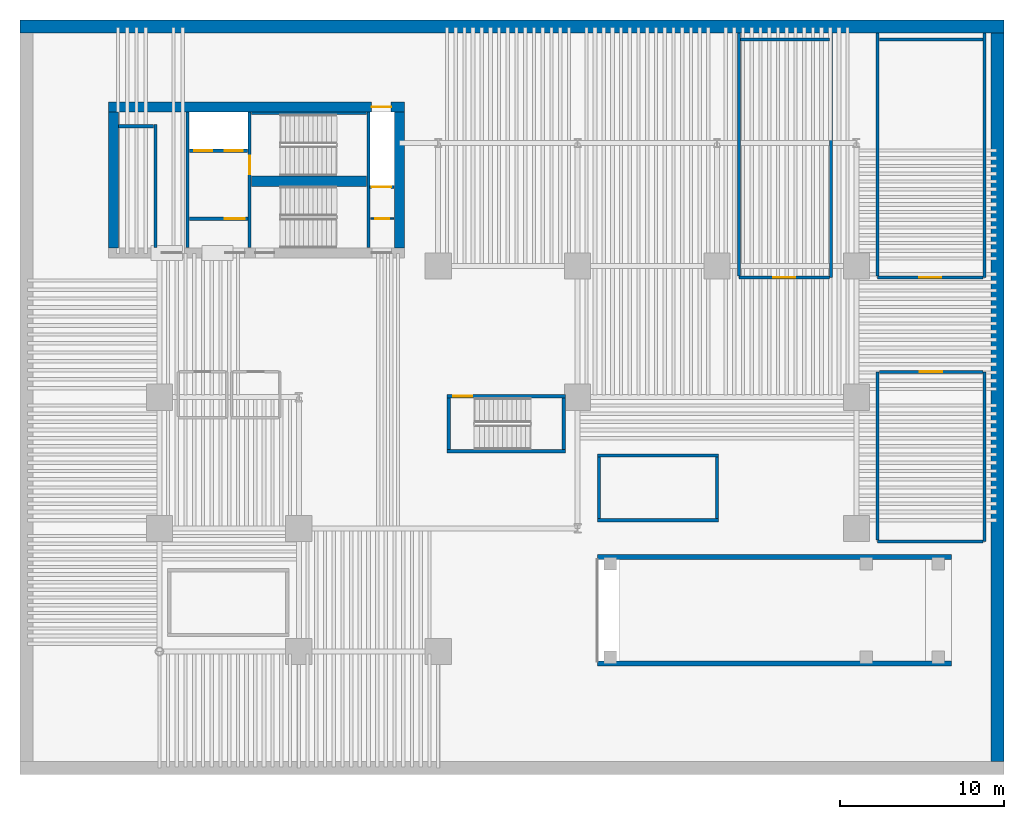
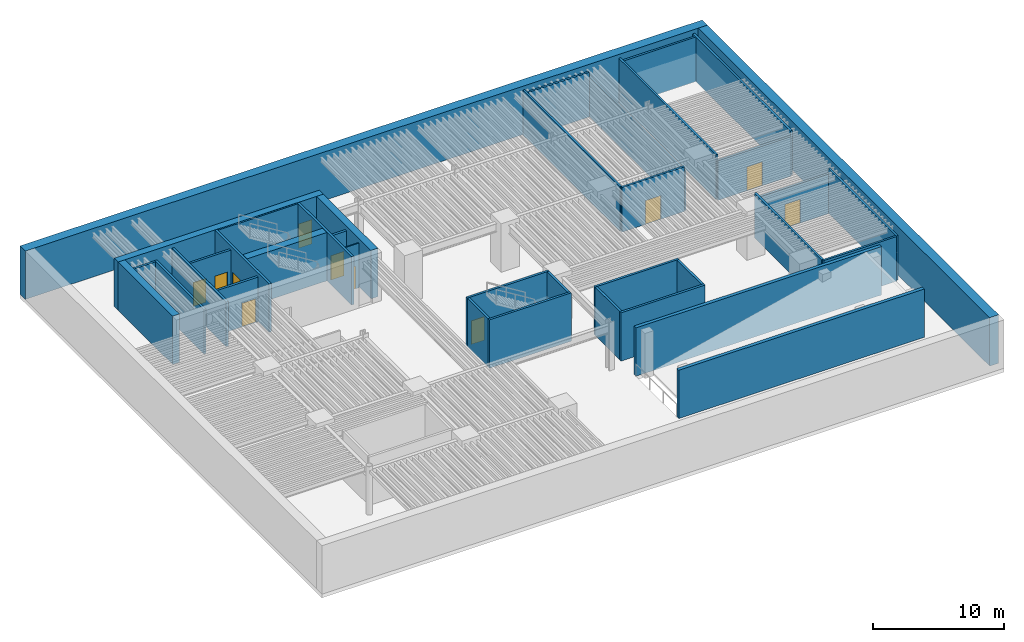
# One storey, part 4 of 9: 38 walls, 11 doors, 11 openings.
"""IFC4 building model written with IfcOpenShell, lengths in metres."""

import ifcopenshell
import ifcopenshell.guid

model = None  # the IFC model being written
_history = None  # IfcOwnerHistory: only IFC2X3 demands one
_inside = {}  # id of a spatial element -> (the spatial element, [elements in it])
_under = {}  # id of a project, library or spatial element -> (it, [spatial elements below it])
_declared = {}  # id of a project -> (the project, [libraries it declares])
_typed = {}  # id of a type object -> (the type object, [elements of that type])
_made_of = {}  # id of a material, layer set ... -> (it, [elements and type objects made of it])


def new_model(schema):
    """Start an empty IFC model of exactly this schema.

    Asked for "IFC4X3", IfcOpenShell would pick the latest addendum, in which some entities
    have other attributes; the version numbers below select the first issue.
    IFC2X3 requires an IfcOwnerHistory on every rooted entity: one is made here for all.
    """
    global model, _history
    if schema == "IFC4X3":
        model = ifcopenshell.file(schema_version=(4, 3, 0, 0))
    else:
        model = ifcopenshell.file(schema=schema)
    _inside.clear()
    _under.clear()
    _declared.clear()
    _typed.clear()
    _made_of.clear()
    _history = None
    if model.schema == "IFC2X3":
        org = make("IfcOrganization", Name="unknown")
        user = make(
            "IfcPersonAndOrganization",
            ThePerson=make("IfcPerson", FamilyName="unknown"),
            TheOrganization=org,
        )
        app = make(
            "IfcApplication",
            ApplicationDeveloper=org,
            Version="unknown",
            ApplicationFullName="unknown",
            ApplicationIdentifier="unknown",
        )
        _history = make(
            "IfcOwnerHistory",
            OwningUser=user,
            OwningApplication=app,
            ChangeAction="ADDED",
            CreationDate=0,
        )
    return model


def make(cls, **values):
    """One entity of the class cls with the attributes given. An attribute that is None is left unset."""
    return model.create_entity(
        cls, **{name: value for name, value in values.items() if value is not None}
    )


def rooted(cls, **values):
    """An entity with a GlobalId (a new one), such as an element, a storey or a relation."""
    return make(cls, GlobalId=ifcopenshell.guid.new(), OwnerHistory=_history, **values)


def si_unit(unit_type, name, prefix=None):
    """IfcSIUnit, for example si_unit("LENGTHUNIT", "METRE", prefix="MILLI")."""
    return make("IfcSIUnit", UnitType=unit_type, Prefix=prefix, Name=name)


def assignment(units):
    """IfcUnitAssignment: the units of a project."""
    return None if units is None else make("IfcUnitAssignment", Units=units)


def point(xyz):
    """IfcCartesianPoint."""
    return None if xyz is None else make("IfcCartesianPoint", Coordinates=xyz)


def direction(xyz):
    """IfcDirection."""
    return None if xyz is None else make("IfcDirection", DirectionRatios=xyz)


def frame(location, z_axis=None, x_axis=None):
    """IfcAxis2Placement3D, a coordinate frame: its origin and axes. An axis left out is left unset."""
    return make(
        "IfcAxis2Placement3D",
        Location=point(location),
        Axis=direction(z_axis),
        RefDirection=direction(x_axis),
    )


def frame_2d(location, x_axis=None):
    """IfcAxis2Placement2D, a coordinate frame in the plane: its origin and x axis."""
    return make(
        "IfcAxis2Placement2D", Location=point(location), RefDirection=direction(x_axis)
    )


def origin():
    """The frame at (0, 0, 0) with its axes left unset."""
    return frame((0.0, 0.0, 0.0))


def place(relative_to, where):
    """IfcLocalPlacement: puts the frame where relative to a parent placement (None: the world)."""
    return make(
        "IfcLocalPlacement", PlacementRelTo=relative_to, RelativePlacement=where
    )


def context(
    kind, dimensions, precision=None, world=None, true_north=None, identifier=None
):
    """IfcGeometricRepresentationContext, for example the 3D "Model" context."""
    return make(
        "IfcGeometricRepresentationContext",
        ContextIdentifier=identifier,
        ContextType=kind,
        CoordinateSpaceDimension=dimensions,
        Precision=precision,
        WorldCoordinateSystem=world,
        TrueNorth=true_north,
    )


def subcontext(parent, identifier, kind, view, scale=None):
    """IfcGeometricRepresentationSubContext, for example "Body" below "Model"."""
    return make(
        "IfcGeometricRepresentationSubContext",
        ContextIdentifier=identifier,
        ContextType=kind,
        ParentContext=parent,
        TargetScale=scale,
        TargetView=view,
    )


def project(units=None, contexts=None):
    """IfcProject with its units and contexts."""
    return rooted(
        "IfcProject",
        Name="project",
        RepresentationContexts=contexts,
        UnitsInContext=assignment(units),
    )


def spatial(cls, under=None, at=None, **own):
    """A site, building, storey or space (cls), placed at a placement, below another one or the project."""
    s = rooted(cls, ObjectPlacement=at, **own)
    if under is not None:
        _under.setdefault(under.id(), (under, []))[1].append(s)
    return s


def profile(cls, at=None, kind="AREA", **sizes):
    """A parametric profile (cls). Its sizes go by their IFC names, for example OverallWidth=200.0."""
    return make(cls, ProfileType=kind, Position=at, **sizes)


def rectangle(**sizes):
    """IfcRectangleProfileDef."""
    return profile("IfcRectangleProfileDef", **sizes)


def extrude(swept, where, along, depth):
    """IfcExtrudedAreaSolid: the profile swept, set in the frame where, extruded along a direction by depth."""
    return make(
        "IfcExtrudedAreaSolid",
        SweptArea=swept,
        Position=where,
        ExtrudedDirection=direction(along),
        Depth=depth,
    )


def shape(context_of_items, identifier, shape_type, items):
    """IfcShapeRepresentation: the items that make up one representation, for example the "Body"."""
    return make(
        "IfcShapeRepresentation",
        ContextOfItems=context_of_items,
        RepresentationIdentifier=identifier,
        RepresentationType=shape_type,
        Items=items,
    )


def material(Name=None, Category=None):
    """IfcMaterial."""
    return make("IfcMaterial", Name=Name, Category=Category)


def layer(
    of_material, thickness, ventilated=None, Name=None, Category=None, Priority=None
):
    """IfcMaterialLayer: one layer of a wall or slab, of a material (None: an air gap)."""
    return make(
        "IfcMaterialLayer",
        Material=of_material,
        LayerThickness=thickness,
        IsVentilated=ventilated,
        Name=Name,
        Category=Category,
        Priority=Priority,
    )


def layer_set(layers, Name=None):
    """IfcMaterialLayerSet."""
    return make("IfcMaterialLayerSet", MaterialLayers=layers, LayerSetName=Name)


def made_of(thing, what):
    """Note that an element or type object is made of a material, layer set ...; save() writes the relation."""
    if what is not None:
        _made_of.setdefault(what.id(), (what, []))[1].append(thing)
    return thing


def type_object(cls, material=None, **own):
    """A type object (cls), such as IfcWallType, which elements share."""
    return made_of(rooted(cls, **own), material)


def element(
    cls,
    number,
    at=None,
    inside=None,
    cuts=None,
    type_object=None,
    material=None,
    context=None,
    identifier="Body",
    shape_type=None,
    held_by="IfcProductDefinitionShape",
    body=None,
    shapes=None,
    **own,
):
    """One element of the class cls, such as IfcWall. Its Tag is "e" and its number.

    at: its placement. inside: the storey or other place that contains it. cuts: it is an
    opening in that element (IfcRelVoidsElement). A single representation is given by context,
    identifier, shape_type and body (its items); several are given by shapes. held_by: the class
    of the entity that holds the representations. save() writes the other relations.
    """
    e = rooted(cls, Tag="e%d" % number, ObjectPlacement=at, **own)
    if body is not None:
        shapes = [shape(context, identifier, shape_type, body)]
    if shapes is not None:
        e.Representation = make(held_by, Representations=shapes)
    if inside is not None:
        _inside.setdefault(inside.id(), (inside, []))[1].append(e)
    if cuts is not None:
        rooted(
            "IfcRelVoidsElement", RelatingBuildingElement=cuts, RelatedOpeningElement=e
        )
    if type_object is not None:
        _typed.setdefault(type_object.id(), (type_object, []))[1].append(e)
    return made_of(e, material)


def fill(opening, filler):
    """IfcRelFillsElement: the door or window that sits in an opening."""
    return rooted(
        "IfcRelFillsElement",
        RelatingOpeningElement=opening,
        RelatedBuildingElement=filler,
    )


def aggregate(whole, parts):
    """IfcRelAggregates: a whole, such as a stair, and the parts it consists of."""
    return rooted("IfcRelAggregates", RelatingObject=whole, RelatedObjects=parts)


def save(model, path):
    """Write the relations noted so far, then the file.

    IfcRelAggregates (storeys below a building ...), IfcRelContainedInSpatialStructure (elements
    in a storey), IfcRelDefinesByType, IfcRelAssociatesMaterial and IfcRelDeclares: one each for
    every whole, place, type object, material and project.
    """
    for whole, parts in _under.values():
        aggregate(whole, parts)
    for where, things in _inside.values():
        rooted(
            "IfcRelContainedInSpatialStructure",
            RelatedElements=things,
            RelatingStructure=where,
        )
    for kind, things in _typed.values():
        rooted("IfcRelDefinesByType", RelatedObjects=things, RelatingType=kind)
    for what, things in _made_of.values():
        rooted("IfcRelAssociatesMaterial", RelatedObjects=things, RelatingMaterial=what)
    for by, libraries in _declared.values():
        rooted("IfcRelDeclares", RelatingContext=by, RelatedDefinitions=libraries)
    model.write(path)


model = new_model("IFC4")

# Units and contexts
model_context = context("Model", 3, precision=1e-05, world=origin(), true_north=direction((0.0, 1.0)))
body_context = subcontext(model_context, "Body", "Model", "MODEL_VIEW")
ifc_project = project(units=[si_unit("LENGTHUNIT", "METRE"), si_unit("AREAUNIT", "SQUARE_METRE"), si_unit("VOLUMEUNIT", "CUBIC_METRE"), si_unit("PLANEANGLEUNIT", "RADIAN"), si_unit("MASSUNIT", "GRAM", prefix="KILO")], contexts=[model_context])

# Site, building, storey
site_placement = place(None, origin())
site = spatial("IfcSite", under=ifc_project, at=site_placement, CompositionType="ELEMENT")
building_placement = place(site_placement, origin())
building = spatial("IfcBuilding", under=site, at=building_placement, Name="Caeloran Harvest Quay", CompositionType="ELEMENT")
storey_placement = place(building_placement, frame((0.0, 0.0, -9.0)))
storey = spatial("IfcBuildingStorey", under=building, at=storey_placement, Name="B02", CompositionType="ELEMENT", Elevation=-9.0)

# Wall, opening, door
ifc_material_1 = material(Name="Fire-Resisting Gypsum Core Riser Partition", Category="gypsum")
ifc_layer_1 = layer(ifc_material_1, 0.10009765625, Name="Fire-Resisting Gypsum Core Riser Partition")
ifc_layer_set_1 = layer_set([ifc_layer_1], Name="Fire-Resisting Gypsum Core Riser Partition")
wall_type_1 = type_object("IfcWallType", Name="INT-WALL-PW-100", PredefinedType="PARTITIONING", material=ifc_layer_set_1)
wall_1_placement = place(storey_placement, frame((21.3798828125, 33.889892578125, 0.0), z_axis=(0.0, 0.0, 1.0), x_axis=(1.0, 0.0, 0.0)))
wall_1 = element("IfcWall", 1, at=wall_1_placement, inside=storey, type_object=wall_type_1, Name="B02 Cleaner Store Partition Wall", PredefinedType="PARTITIONING", context=body_context, shape_type="SweptSolid", body=[
    extrude(rectangle(XDim=1.420166015625, YDim=0.10009765625, at=frame_2d((0.7099609375, 0.0))), origin(), (0.0, 0.0, 1.0), 4.14990234375),
])
opening_1_placement = place(wall_1_placement, frame((0.280029296875, 0.0, 0.0)))
opening_1 = element("IfcOpeningElement", 2, at=opening_1_placement, cuts=wall_1, Name="Opening SV-01", PredefinedType="OPENING", context=body_context, shape_type="SweptSolid", body=[
    extrude(rectangle(XDim=0.85009765625, YDim=2.10009765625, at=frame_2d((0.425048828125, 1.050048828125))), frame((0.0, 0.06005859375, 0.0), z_axis=(0.0, -1.0, 0.0), x_axis=(1.0, 0.0, 0.0)), (0.0, 0.0, 1.0), 0.1201171875),
])
ifc_material_2 = material(Name="Galvanized Painted Steel", Category="steel")
door_type_1 = type_object("IfcDoorType", Name="INTDOOR-SV-01", OperationType="NOTDEFINED", PredefinedType="DOOR", material=ifc_material_2)
door_1_placement = place(opening_1_placement, origin())
door_1 = element("IfcDoor", 3, at=door_1_placement, inside=storey, type_object=door_type_1, Name="B02 Cleaner Supply Store Access Door", OperationType="SINGLE_SWING_RIGHT", OverallHeight=2.10009765625, OverallWidth=0.85009765625, PredefinedType="DOOR", context=body_context, shape_type="SweptSolid", body=[
    extrude(rectangle(XDim=0.85009765625, YDim=2.10009765625, at=frame_2d((0.425048828125, 1.050048828125))), frame((0.0, 0.02490234375, 0.0), z_axis=(0.0, -1.0, 0.0), x_axis=(1.0, 0.0, 0.0)), (0.0, 0.0, 1.0), 0.050048828125),
])
fill(opening_1, door_1)

# Walls
ifc_material_3 = material(Name="Autoclaved Aerated Concrete Blockwork", Category="masonry")
ifc_layer_2 = layer(ifc_material_3, 0.179931640625, Name="Autoclaved Aerated Concrete Blockwork")
ifc_layer_set_2 = layer_set([ifc_layer_2], Name="Autoclaved Aerated Concrete Blockwork")
wall_type_2 = type_object("IfcWallType", Name="INT-WALL-PW-180", PredefinedType="PARTITIONING", material=ifc_layer_set_2)
wall_2_placement = place(storey_placement, frame((58.800048828125, 24.550048828125, 0.0), z_axis=(0.0, 0.0, 1.0), x_axis=(0.0, -1.0, 0.0)))
element("IfcWall", 4, at=wall_2_placement, inside=storey, type_object=wall_type_2, Name="Cold-Chain Glycol Refrigeration Plant Partition Wall", PredefinedType="PARTITIONING", context=body_context, shape_type="SweptSolid", body=[
    extrude(rectangle(XDim=10.35009765625, YDim=0.179931640625, at=frame_2d((5.175048828125, 0.0))), origin(), (0.0, 0.0, 1.0), 4.14990234375),
])
wall_3_placement = place(storey_placement, frame((58.705078125, 14.199951171875, 0.0), z_axis=(0.0, 0.0, 1.0), x_axis=(-1.0, 0.0, 0.0)))
element("IfcWall", 5, at=wall_3_placement, inside=storey, type_object=wall_type_2, Name="Cold-Chain Glycol Refrigeration Plant Partition Wall", PredefinedType="PARTITIONING", context=body_context, shape_type="SweptSolid", body=[
    extrude(rectangle(XDim=6.405029296875, YDim=0.179931640625, at=frame_2d((3.20263671875, 0.0))), origin(), (0.0, 0.0, 1.0), 4.14990234375),
])
wall_4_placement = place(storey_placement, frame((52.300048828125, 14.294921875, 0.0), z_axis=(0.0, 0.0, 1.0), x_axis=(0.0, 1.0, 0.0)))
element("IfcWall", 6, at=wall_4_placement, inside=storey, type_object=wall_type_2, Name="Cold-Chain Glycol Refrigeration Plant Partition Wall", PredefinedType="PARTITIONING", context=body_context, shape_type="SweptSolid", body=[
    extrude(rectangle(XDim=10.255126953125, YDim=0.179931640625, at=frame_2d((5.12744140625, 0.0))), origin(), (0.0, 0.0, 1.0), 4.14990234375),
])

# Wall, opening, door
wall_5_placement = place(storey_placement, frame((52.39501953125, 24.550048828125, 0.0), z_axis=(0.0, 0.0, 1.0), x_axis=(1.0, 0.0, 0.0)))
wall_5 = element("IfcWall", 7, at=wall_5_placement, inside=storey, type_object=wall_type_2, Name="Cold-Chain Glycol Refrigeration Plant Partition Wall", PredefinedType="PARTITIONING", context=body_context, shape_type="SweptSolid", body=[
    extrude(rectangle(XDim=6.31005859375, YDim=0.179931640625, at=frame_2d((3.155029296875, 0.0))), origin(), (0.0, 0.0, 1.0), 3.68505859375),
])
opening_2_placement = place(wall_5_placement, frame((2.47998046875, 0.0, 0.0)))
opening_2 = element("IfcOpeningElement", 8, at=opening_2_placement, cuts=wall_5, Name="Opening ID-02", PredefinedType="OPENING", context=body_context, shape_type="SweptSolid", body=[
    extrude(rectangle(XDim=1.35009765625, YDim=2.199951171875, at=frame_2d((0.675048828125, 1.10009765625))), frame((0.0, 0.10009765625, 0.0), z_axis=(0.0, -1.0, 0.0), x_axis=(1.0, 0.0, 0.0)), (0.0, 0.0, 1.0), 0.199951171875),
])
ifc_material_4 = material(Name="Powder-Coated Steel Acoustic Leaf", Category="steel")
door_type_2 = type_object("IfcDoorType", Name="INTDOOR-ID-02", OperationType="NOTDEFINED", PredefinedType="DOOR", material=ifc_material_4)
door_2_placement = place(opening_2_placement, origin())
door_2 = element("IfcDoor", 9, at=door_2_placement, inside=storey, type_object=door_type_2, Name="Cold-Chain Glycol Refrigeration Plant Access Door", OperationType="SINGLE_SWING_LEFT", OverallHeight=2.199951171875, OverallWidth=1.35009765625, PredefinedType="DOOR", context=body_context, shape_type="SweptSolid", body=[
    extrude(rectangle(XDim=1.35009765625, YDim=2.199951171875, at=frame_2d((0.675048828125, 1.10009765625))), frame((0.0, 0.02490234375, 0.0), z_axis=(0.0, -1.0, 0.0), x_axis=(1.0, 0.0, 0.0)), (0.0, 0.0, 1.0), 0.050048828125),
])
fill(opening_2, door_2)

# Wall
wall_6_placement = place(storey_placement, frame((58.800048828125, 45.195068359375, 0.0), z_axis=(0.0, 0.0, 1.0), x_axis=(0.0, -1.0, 0.0)))
element("IfcWall", 10, at=wall_6_placement, inside=storey, type_object=wall_type_2, Name="Automated Harvest Crate Buffer Store Partition Wall", PredefinedType="PARTITIONING", context=body_context, shape_type="SweptSolid", body=[
    extrude(rectangle(XDim=14.89501953125, YDim=0.179931640625, at=frame_2d((7.447509765625, 0.0))), origin(), (0.0, 0.0, 1.0), 4.14990234375),
])

# Wall, opening, door
wall_7_placement = place(storey_placement, frame((58.705078125, 30.300048828125, 0.0), z_axis=(0.0, 0.0, 1.0), x_axis=(-1.0, 0.0, 0.0)))
wall_7 = element("IfcWall", 11, at=wall_7_placement, inside=storey, type_object=wall_type_2, Name="Automated Harvest Crate Buffer Store Partition Wall", PredefinedType="PARTITIONING", context=body_context, shape_type="SweptSolid", body=[
    extrude(rectangle(XDim=6.405029296875, YDim=0.179931640625, at=frame_2d((3.20263671875, 0.0))), origin(), (0.0, 0.0, 1.0), 3.68505859375),
])
opening_3_placement = place(wall_7_placement, frame((2.527587890625, 0.0, 0.0)))
opening_3 = element("IfcOpeningElement", 12, at=opening_3_placement, cuts=wall_7, Name="Opening ID-02", PredefinedType="OPENING", context=body_context, shape_type="SweptSolid", body=[
    extrude(rectangle(XDim=1.35009765625, YDim=2.199951171875, at=frame_2d((0.675048828125, 1.10009765625))), frame((0.0, 0.10009765625, 0.0), z_axis=(0.0, -1.0, 0.0), x_axis=(1.0, 0.0, 0.0)), (0.0, 0.0, 1.0), 0.199951171875),
])
door_3_placement = place(opening_3_placement, origin())
door_3 = element("IfcDoor", 13, at=door_3_placement, inside=storey, type_object=door_type_2, Name="Automated Harvest Crate Buffer Store Access Door", OperationType="SINGLE_SWING_RIGHT", OverallHeight=2.199951171875, OverallWidth=1.35009765625, PredefinedType="DOOR", context=body_context, shape_type="SweptSolid", body=[
    extrude(rectangle(XDim=1.35009765625, YDim=2.199951171875, at=frame_2d((0.675048828125, 1.10009765625))), frame((0.0, 0.02490234375, 0.0), z_axis=(0.0, -1.0, 0.0), x_axis=(1.0, 0.0, 0.0)), (0.0, 0.0, 1.0), 0.050048828125),
])
fill(opening_3, door_3)

# Walls
wall_8_placement = place(storey_placement, frame((52.300048828125, 30.39501953125, 0.0), z_axis=(0.0, 0.0, 1.0), x_axis=(0.0, 1.0, 0.0)))
element("IfcWall", 14, at=wall_8_placement, inside=storey, type_object=wall_type_2, Name="Automated Harvest Crate Buffer Store Partition Wall", PredefinedType="PARTITIONING", context=body_context, shape_type="SweptSolid", body=[
    extrude(rectangle(XDim=14.800048828125, YDim=0.179931640625, at=frame_2d((7.39990234375, 0.0))), origin(), (0.0, 0.0, 1.0), 4.14990234375),
])
wall_9_placement = place(storey_placement, frame((52.39501953125, 44.800048828125, 0.0), z_axis=(0.0, 0.0, 1.0), x_axis=(1.0, 0.0, 0.0)))
element("IfcWall", 15, at=wall_9_placement, inside=storey, type_object=wall_type_2, Name="Automated Harvest Crate Buffer Store Partition Wall", PredefinedType="PARTITIONING", context=body_context, shape_type="SweptSolid", body=[
    extrude(rectangle(XDim=6.31005859375, YDim=0.179931640625, at=frame_2d((3.155029296875, 0.0))), origin(), (0.0, 0.0, 1.0), 4.14990234375),
])
wall_10_placement = place(storey_placement, frame((49.449951171875, 45.195068359375, 0.0), z_axis=(0.0, 0.0, 1.0), x_axis=(0.0, -1.0, 0.0)))
element("IfcWall", 16, at=wall_10_placement, inside=storey, type_object=wall_type_2, Name="Sprinkler Fire-Pump and Transfer Tank Room Partition Wall", PredefinedType="PARTITIONING", context=body_context, shape_type="SweptSolid", body=[
    extrude(rectangle(XDim=14.89501953125, YDim=0.179931640625, at=frame_2d((7.447509765625, 0.0))), origin(), (0.0, 0.0, 1.0), 3.68505859375),
])

# Wall, opening, door
wall_11_placement = place(storey_placement, frame((49.35498046875, 30.300048828125, 0.0), z_axis=(0.0, 0.0, 1.0), x_axis=(-1.0, 0.0, 0.0)))
wall_11 = element("IfcWall", 17, at=wall_11_placement, inside=storey, type_object=wall_type_2, Name="Sprinkler Fire-Pump and Transfer Tank Room Partition Wall", PredefinedType="PARTITIONING", context=body_context, shape_type="SweptSolid", body=[
    extrude(rectangle(XDim=5.5048828125, YDim=0.179931640625, at=frame_2d((2.75244140625, 0.0))), origin(), (0.0, 0.0, 1.0), 4.14990234375),
])
opening_4_placement = place(wall_11_placement, frame((2.077392578125, 0.0, 0.0)))
opening_4 = element("IfcOpeningElement", 18, at=opening_4_placement, cuts=wall_11, Name="Opening ID-02", PredefinedType="OPENING", context=body_context, shape_type="SweptSolid", body=[
    extrude(rectangle(XDim=1.35009765625, YDim=2.199951171875, at=frame_2d((0.675048828125, 1.10009765625))), frame((0.0, 0.10009765625, 0.0), z_axis=(0.0, -1.0, 0.0), x_axis=(1.0, 0.0, 0.0)), (0.0, 0.0, 1.0), 0.199951171875),
])
door_4_placement = place(opening_4_placement, origin())
door_4 = element("IfcDoor", 19, at=door_4_placement, inside=storey, type_object=door_type_2, Name="Sprinkler Fire-Pump and Transfer Tank Room Access Door", OperationType="SINGLE_SWING_LEFT", OverallHeight=2.199951171875, OverallWidth=1.35009765625, PredefinedType="DOOR", context=body_context, shape_type="SweptSolid", body=[
    extrude(rectangle(XDim=1.35009765625, YDim=2.199951171875, at=frame_2d((0.675048828125, 1.10009765625))), frame((0.0, 0.02490234375, 0.0), z_axis=(0.0, -1.0, 0.0), x_axis=(1.0, 0.0, 0.0)), (0.0, 0.0, 1.0), 0.050048828125),
])
fill(opening_4, door_4)

# Walls
wall_12_placement = place(storey_placement, frame((43.85009765625, 30.39501953125, 0.0), z_axis=(0.0, 0.0, 1.0), x_axis=(0.0, 1.0, 0.0)))
element("IfcWall", 20, at=wall_12_placement, inside=storey, type_object=wall_type_2, Name="Sprinkler Fire-Pump and Transfer Tank Room Partition Wall", PredefinedType="PARTITIONING", context=body_context, shape_type="SweptSolid", body=[
    extrude(rectangle(XDim=14.800048828125, YDim=0.179931640625, at=frame_2d((7.39990234375, 0.0))), origin(), (0.0, 0.0, 1.0), 4.14990234375),
])
wall_13_placement = place(storey_placement, frame((43.945068359375, 44.800048828125, 0.0), z_axis=(0.0, 0.0, 1.0), x_axis=(1.0, 0.0, 0.0)))
element("IfcWall", 21, at=wall_13_placement, inside=storey, type_object=wall_type_2, Name="Sprinkler Fire-Pump and Transfer Tank Room Partition Wall", PredefinedType="PARTITIONING", context=body_context, shape_type="SweptSolid", body=[
    extrude(rectangle(XDim=5.409912109375, YDim=0.179931640625, at=frame_2d((2.705078125, 0.0))), origin(), (0.0, 0.0, 1.0), 4.14990234375),
])
ifc_material_5 = material(Name="Concrete C50/60", Category="concrete")
ifc_layer_3 = layer(ifc_material_5, 0.199951171875, Name="Concrete C50/60")
ifc_layer_set_3 = layer_set([ifc_layer_3], Name="Concrete C50/60")
wall_type_3 = type_object("IfcWallType", Name="INT-WALL-SW-200", PredefinedType="PARTITIONING", material=ifc_layer_set_3)
wall_14_placement = place(storey_placement, frame((8.260009765625, 32.1201171875, 0.0), z_axis=(0.0, 0.0, 1.0), x_axis=(0.0, 1.0, 0.0)))
element("IfcWall", 22, at=wall_14_placement, inside=storey, type_object=wall_type_3, Name="B02 Bank 3 Lift Shaft Wall", PredefinedType="PARTITIONING", context=body_context, shape_type="SweptSolid", body=[
    extrude(rectangle(XDim=7.5, YDim=0.199951171875, at=frame_2d((3.75, 0.0))), origin(), (0.0, 0.0, 1.0), 4.14990234375),
])
wall_15_placement = place(storey_placement, frame((6.02001953125, 39.52001953125, 0.0), z_axis=(0.0, 0.0, 1.0), x_axis=(1.0, 0.0, 0.0)))
element("IfcWall", 23, at=wall_15_placement, inside=storey, type_object=wall_type_3, Name="B02 Bank 3 Lift Shaft North End Wall", PredefinedType="PARTITIONING", context=body_context, shape_type="SweptSolid", body=[
    extrude(rectangle(XDim=2.119873046875, YDim=0.199951171875, at=frame_2d((1.06005859375, 0.0))), origin(), (0.0, 0.0, 1.0), 4.14990234375),
])
wall_16_placement = place(storey_placement, frame((10.219970703125, 32.1201171875, 0.0), z_axis=(0.0, 0.0, 1.0), x_axis=(0.0, 1.0, 0.0)))
element("IfcWall", 24, at=wall_16_placement, inside=storey, type_object=wall_type_3, Name="B02 Core Lobby Compartment Wall", PredefinedType="PARTITIONING", context=body_context, shape_type="SweptSolid", body=[
    extrude(rectangle(XDim=8.259765625, YDim=0.199951171875, at=frame_2d((4.1298828125, 0.0))), origin(), (0.0, 0.0, 1.0), 4.14990234375),
])

# Wall, openings, doors
wall_17_placement = place(storey_placement, frame((10.340087890625, 38.02001953125, 0.0), z_axis=(0.0, 0.0, 1.0), x_axis=(1.0, 0.0, 0.0)))
wall_17 = element("IfcWall", 25, at=wall_17_placement, inside=storey, type_object=wall_type_3, Name="B02 Firefighting Lift Shaft Wall", PredefinedType="PARTITIONING", context=body_context, shape_type="SweptSolid", body=[
    extrude(rectangle(XDim=3.539794921875, YDim=0.199951171875, at=frame_2d((1.77001953125, 0.0))), origin(), (0.0, 0.0, 1.0), 4.14990234375),
])
opening_5_placement = place(wall_17_placement, frame((0.284912109375, 0.0, 0.0)))
opening_5 = element("IfcOpeningElement", 26, at=opening_5_placement, cuts=wall_17, Name="Opening LD-01", PredefinedType="OPENING", context=body_context, shape_type="SweptSolid", body=[
    extrude(rectangle(XDim=1.10009765625, YDim=2.199951171875, at=frame_2d((0.550048828125, 1.10009765625))), frame((0.0, 0.10986328125, 0.0), z_axis=(0.0, -1.0, 0.0), x_axis=(1.0, 0.0, 0.0)), (0.0, 0.0, 1.0), 0.219970703125),
])
opening_6_placement = place(wall_17_placement, frame((2.135009765625, 0.0, 0.0)))
opening_6 = element("IfcOpeningElement", 27, at=opening_6_placement, cuts=wall_17, Name="Opening LD-01", PredefinedType="OPENING", context=body_context, shape_type="SweptSolid", body=[
    extrude(rectangle(XDim=1.10009765625, YDim=2.199951171875, at=frame_2d((0.550048828125, 1.10009765625))), frame((0.0, 0.10986328125, 0.0), z_axis=(0.0, -1.0, 0.0), x_axis=(1.0, 0.0, 0.0)), (0.0, 0.0, 1.0), 0.219970703125),
])
ifc_material_6 = material(Name="Stainless Steel Grade 316", Category="steel")
door_type_3 = type_object("IfcDoorType", Name="INTDOOR-LD-01", OperationType="NOTDEFINED", PredefinedType="DOOR", material=ifc_material_6)
door_5_placement = place(opening_5_placement, origin())
door_5 = element("IfcDoor", 28, at=door_5_placement, inside=storey, type_object=door_type_3, Name="Lift FF-1 Sliding Landing Door (B02)", OperationType="DOUBLE_DOOR_SLIDING", OverallHeight=2.199951171875, OverallWidth=1.10009765625, PredefinedType="DOOR", context=body_context, shape_type="SweptSolid", body=[
    extrude(rectangle(XDim=1.10009765625, YDim=2.199951171875, at=frame_2d((0.550048828125, 1.10009765625))), frame((0.0, 0.02490234375, 0.0), z_axis=(0.0, -1.0, 0.0), x_axis=(1.0, 0.0, 0.0)), (0.0, 0.0, 1.0), 0.050048828125),
])
fill(opening_5, door_5)
door_6_placement = place(opening_6_placement, origin())
door_6 = element("IfcDoor", 29, at=door_6_placement, inside=storey, type_object=door_type_3, Name="Lift FF-2 Sliding Landing Door (B02)", OperationType="DOUBLE_DOOR_SLIDING", OverallHeight=2.199951171875, OverallWidth=1.10009765625, PredefinedType="DOOR", context=body_context, shape_type="SweptSolid", body=[
    extrude(rectangle(XDim=1.10009765625, YDim=2.199951171875, at=frame_2d((0.550048828125, 1.10009765625))), frame((0.0, 0.02490234375, 0.0), z_axis=(0.0, -1.0, 0.0), x_axis=(1.0, 0.0, 0.0)), (0.0, 0.0, 1.0), 0.050048828125),
])
fill(opening_6, door_6)

# Wall, opening, door
wall_18_placement = place(storey_placement, frame((10.340087890625, 33.8798828125, 0.0), z_axis=(0.0, 0.0, 1.0), x_axis=(1.0, 0.0, 0.0)))
wall_18 = element("IfcWall", 30, at=wall_18_placement, inside=storey, type_object=wall_type_3, Name="B02 Firefighting Lift Lobby Enclosure Wall", PredefinedType="PARTITIONING", context=body_context, shape_type="SweptSolid", body=[
    extrude(rectangle(XDim=3.559814453125, YDim=0.199951171875, at=frame_2d((1.77978515625, 0.0))), origin(), (0.0, 0.0, 1.0), 4.14990234375),
])
opening_7_placement = place(wall_18_placement, frame((2.14990234375, 0.0, 0.0)))
opening_7 = element("IfcOpeningElement", 31, at=opening_7_placement, cuts=wall_18, Name="Opening FD-01", PredefinedType="OPENING", context=body_context, shape_type="SweptSolid", body=[
    extrude(rectangle(XDim=1.199951171875, YDim=2.199951171875, at=frame_2d((0.60009765625, 1.10009765625))), frame((0.0, 0.10986328125, 0.0), z_axis=(0.0, -1.0, 0.0), x_axis=(1.0, 0.0, 0.0)), (0.0, 0.0, 1.0), 0.219970703125),
])
ifc_material_7 = material(Name="Steel", Category="steel")
door_type_4 = type_object("IfcDoorType", Name="INTDOOR-FD-01", OperationType="NOTDEFINED", PredefinedType="DOOR", material=ifc_material_7)
door_7_placement = place(opening_7_placement, origin())
door_7 = element("IfcDoor", 32, at=door_7_placement, inside=storey, type_object=door_type_4, Name="B02 Firefighting Lift Lobby Smoke-Seal Fire Door", OperationType="SINGLE_SWING_LEFT", OverallHeight=2.199951171875, OverallWidth=1.199951171875, PredefinedType="DOOR", context=body_context, shape_type="SweptSolid", body=[
    extrude(rectangle(XDim=1.199951171875, YDim=2.199951171875, at=frame_2d((0.60009765625, 1.10009765625))), frame((0.0, 0.02490234375, 0.0), z_axis=(0.0, -1.0, 0.0), x_axis=(1.0, 0.0, 0.0)), (0.0, 0.0, 1.0), 0.050048828125),
])
fill(opening_7, door_7)

wall_19_placement = place(storey_placement, frame((21.300048828125, 35.820068359375, 0.0), z_axis=(0.0, 0.0, 1.0), x_axis=(1.0, 0.0, 0.0)))
wall_19 = element("IfcWall", 33, at=wall_19_placement, inside=storey, type_object=wall_type_3, Name="B02 Service Lift SV-2 Shaft Wall", PredefinedType="PARTITIONING", context=body_context, shape_type="SweptSolid", body=[
    extrude(rectangle(XDim=1.5, YDim=0.199951171875, at=frame_2d((0.75, 0.0))), origin(), (0.0, 0.0, 1.0), 4.14990234375),
])
opening_8_placement = place(wall_19_placement, frame((0.14501953125, 0.0, 0.0)))
opening_8 = element("IfcOpeningElement", 34, at=opening_8_placement, cuts=wall_19, Name="Opening LD-02", PredefinedType="OPENING", context=body_context, shape_type="SweptSolid", body=[
    extrude(rectangle(XDim=1.179931640625, YDim=2.25, at=frame_2d((0.58984375, 1.125))), frame((0.0, 0.10986328125, 0.0), z_axis=(0.0, -1.0, 0.0), x_axis=(1.0, 0.0, 0.0)), (0.0, 0.0, 1.0), 0.219970703125),
])
door_type_5 = type_object("IfcDoorType", Name="INTDOOR-LD-02", OperationType="NOTDEFINED", PredefinedType="DOOR", material=ifc_material_6)
door_8_placement = place(opening_8_placement, origin())
door_8 = element("IfcDoor", 35, at=door_8_placement, inside=storey, type_object=door_type_5, Name="Lift SV-2 Sliding Landing Door (B02)", OperationType="DOUBLE_DOOR_SLIDING", OverallHeight=2.25, OverallWidth=1.179931640625, PredefinedType="DOOR", context=body_context, shape_type="SweptSolid", body=[
    extrude(rectangle(XDim=1.179931640625, YDim=2.25, at=frame_2d((0.58984375, 1.125))), frame((0.0, 0.02490234375, 0.0), z_axis=(0.0, -1.0, 0.0), x_axis=(1.0, 0.0, 0.0)), (0.0, 0.0, 1.0), 0.050048828125),
])
fill(opening_8, door_8)

ifc_material_8 = material(Name="Concrete C80/95", Category="concrete")
ifc_layer_4 = layer(ifc_material_8, 0.60009765625, Name="Concrete C80/95")
ifc_layer_set_4 = layer_set([ifc_layer_4], Name="Concrete C80/95")
wall_type_4 = type_object("IfcWallType", Name="STR-WALL-CW-600", PredefinedType="SHEAR", material=ifc_layer_set_4)
wall_20_placement = place(storey_placement, frame((5.39990234375, 40.699951171875, 0.0), z_axis=(0.0, 0.0, 1.0), x_axis=(1.0, 0.0, 0.0)))
wall_20 = element("IfcWall", 36, at=wall_20_placement, inside=storey, type_object=wall_type_4, Name="B02 Rear Core Shear Wall N", PredefinedType="SHEAR", context=body_context, shape_type="SweptSolid", body=[
    extrude(rectangle(XDim=18.050048828125, YDim=0.60009765625, at=frame_2d((9.02490234375, 0.0))), origin(), (0.0, 0.0, 1.0), 4.5),
])
opening_9_placement = place(wall_20_placement, frame((16.044921875, 0.0, 0.0)))
opening_9 = element("IfcOpeningElement", 37, at=opening_9_placement, cuts=wall_20, Name="Opening LD-02", PredefinedType="OPENING", context=body_context, shape_type="SweptSolid", body=[
    extrude(rectangle(XDim=1.179931640625, YDim=2.25, at=frame_2d((0.58984375, 1.125))), frame((0.0, 0.31005859375, 0.0), z_axis=(0.0, -1.0, 0.0), x_axis=(1.0, 0.0, 0.0)), (0.0, 0.0, 1.0), 0.6201171875),
])
door_9_placement = place(opening_9_placement, origin())
door_9 = element("IfcDoor", 38, at=door_9_placement, inside=storey, type_object=door_type_5, Name="Lift SV-1 Sliding Landing Door (B02)", OperationType="DOUBLE_DOOR_SLIDING", OverallHeight=2.25, OverallWidth=1.179931640625, PredefinedType="DOOR", context=body_context, shape_type="SweptSolid", body=[
    extrude(rectangle(XDim=1.179931640625, YDim=2.25, at=frame_2d((0.58984375, 1.125))), frame((0.0, 0.02490234375, 0.0), z_axis=(0.0, -1.0, 0.0), x_axis=(1.0, 0.0, 0.0)), (0.0, 0.0, 1.0), 0.050048828125),
])
fill(opening_9, door_9)

# Walls
for number, where, z_axis, x_axis, name in (
    (39, (5.699951171875, 32.10009765625, 0.0), (0.0, 0.0, 1.0), (0.0, 1.0, 0.0), "B02 Rear Core Shear Wall W"),
    (40, (23.14990234375, 32.10009765625, 0.0), (0.0, 0.0, 1.0), (0.0, 1.0, 0.0), "B02 Rear Core Shear Wall E"),
):
    element("IfcWall", number, at=place(storey_placement, frame(where, z_axis=z_axis, x_axis=x_axis)), inside=storey, type_object=wall_type_4, Name=name, PredefinedType="SHEAR", context=body_context, shape_type="SweptSolid", body=[
        extrude(rectangle(XDim=8.2998046875, YDim=0.60009765625, at=frame_2d((4.14990234375, 0.0))), origin(), (0.0, 0.0, 1.0), 4.5),
    ])
ifc_material_9 = material(Name="Concrete C60/75", Category="concrete")
ifc_layer_5 = layer(ifc_material_9, 0.64990234375, Name="Concrete C60/75")
ifc_layer_set_5 = layer_set([ifc_layer_5], Name="Concrete C60/75")
wall_type_5 = type_object("IfcWallType", Name="STR-WALL-CW-650", PredefinedType="SHEAR", material=ifc_layer_set_5)
wall_21_placement = place(storey_placement, frame((14.1201171875, 36.175048828125, 0.0), z_axis=(0.0, 0.0, 1.0), x_axis=(1.0, 0.0, 0.0)))
element("IfcWall", 41, at=wall_21_placement, inside=storey, type_object=wall_type_5, Name="B02 Core Stairs Dividing Shear Wall", PredefinedType="SHEAR", context=body_context, shape_type="SweptSolid", body=[
    extrude(rectangle(XDim=7.009765625, YDim=0.64990234375, at=frame_2d((3.5048828125, 0.0))), origin(), (0.0, 0.0, 1.0), 4.5),
])
ifc_layer_6 = layer(ifc_material_9, 0.800048828125, Name="Concrete C60/75")
ifc_layer_set_6 = layer_set([ifc_layer_6], Name="Concrete C60/75")
wall_type_6 = type_object("IfcWallType", Name="STR-WALL-DW-800", PredefinedType="USERDEFINED", material=ifc_layer_set_6)
wall_22_placement = place(storey_placement, frame((0.0, 45.60009765625, 0.0), z_axis=(0.0, 0.0, 1.0), x_axis=(1.0, 0.0, 0.0)))
element("IfcWall", 42, at=wall_22_placement, inside=storey, type_object=wall_type_6, Name="B02 Basement Diaphragm Retaining Wall N 800 mm", ObjectType="RETAININGWALL", PredefinedType="USERDEFINED", context=body_context, shape_type="SweptSolid", body=[
    extrude(rectangle(XDim=60.0, YDim=0.800048828125, at=frame_2d((30.0, 0.0))), origin(), (0.0, 0.0, 1.0), 4.5),
])
wall_23_placement = place(storey_placement, frame((59.60009765625, 0.800048828125, 0.0), z_axis=(0.0, 0.0, 1.0), x_axis=(0.0, 1.0, 0.0)))
element("IfcWall", 43, at=wall_23_placement, inside=storey, type_object=wall_type_6, Name="B02 Basement Diaphragm Retaining Wall E 800 mm", ObjectType="RETAININGWALL", PredefinedType="USERDEFINED", context=body_context, shape_type="SweptSolid", body=[
    extrude(rectangle(XDim=44.39990234375, YDim=0.800048828125, at=frame_2d((22.199951171875, 0.0))), origin(), (0.0, 0.0, 1.0), 4.5),
])
ifc_layer_7 = layer(ifc_material_9, 0.300048828125, Name="Concrete C60/75")
ifc_layer_set_7 = layer_set([ifc_layer_7], Name="Concrete C60/75")
wall_type_7 = type_object("IfcWallType", Name="STR-WALL-RW-300", PredefinedType="SOLIDWALL", material=ifc_layer_set_7)
for number, where, z_axis, x_axis, name in (
    (44, (35.199951171875, 6.75, 0.0), (0.0, 0.0, 1.0), (1.0, 0.0, 0.0), "B02 Vehicle Ramp Enclosure Wall S"),
    (45, (35.199951171875, 13.25, 0.0), (0.0, 0.0, 1.0), (1.0, 0.0, 0.0), "B02 Vehicle Ramp Enclosure Wall N"),
):
    element("IfcWall", number, at=place(storey_placement, frame(where, z_axis=z_axis, x_axis=x_axis)), inside=storey, type_object=wall_type_7, Name=name, PredefinedType="SOLIDWALL", context=body_context, shape_type="SweptSolid", body=[
        extrude(rectangle(XDim=21.60009765625, YDim=0.300048828125, at=frame_2d((10.800048828125, 0.0))), origin(), (0.0, 0.0, 1.0), 4.5),
    ])
ifc_layer_8 = layer(ifc_material_9, 0.139892578125, Name="Concrete C60/75")
ifc_layer_set_8 = layer_set([ifc_layer_8], Name="Concrete C60/75")
wall_type_8 = type_object("IfcWallType", Name="STR-WALL-SW-140", PredefinedType="SHEAR", material=ifc_layer_set_8)
wall_24_placement = place(storey_placement, frame((14.1201171875, 40.320068359375, 0.0), z_axis=(0.0, 0.0, 1.0), x_axis=(1.0, 0.0, 0.0)))
element("IfcWall", 46, at=wall_24_placement, inside=storey, type_object=wall_type_8, Name="B02 Core Stair ST-C1 North Bearing Shear Wall", PredefinedType="SHEAR", context=body_context, shape_type="SweptSolid", body=[
    extrude(rectangle(XDim=7.009765625, YDim=0.139892578125, at=frame_2d((3.5048828125, 0.0))), origin(), (0.0, 0.0, 1.0), 4.5),
])

# Wall, opening, door
ifc_layer_9 = layer(ifc_material_9, 0.199951171875, Name="Concrete C60/75")
ifc_layer_set_9 = layer_set([ifc_layer_9], Name="Concrete C60/75")
wall_type_9 = type_object("IfcWallType", Name="STR-WALL-SW-200", PredefinedType="SHEAR", material=ifc_layer_set_9)
wall_25_placement = place(storey_placement, frame((14.0, 32.1201171875, 0.0), z_axis=(0.0, 0.0, 1.0), x_axis=(0.0, 1.0, 0.0)))
wall_25 = element("IfcWall", 47, at=wall_25_placement, inside=storey, type_object=wall_type_9, Name="B02 Core Stair Shaft West Shear Wall", PredefinedType="SHEAR", context=body_context, shape_type="SweptSolid", body=[
    extrude(rectangle(XDim=8.259765625, YDim=0.199951171875, at=frame_2d((4.1298828125, 0.0))), origin(), (0.0, 0.0, 1.0), 4.5),
])
opening_10_placement = place(wall_25_placement, frame((4.4599609375, 0.0, 0.0)))
opening_10 = element("IfcOpeningElement", 48, at=opening_10_placement, cuts=wall_25, Name="Opening SD-01", PredefinedType="OPENING", context=body_context, shape_type="SweptSolid", body=[
    extrude(rectangle(XDim=1.14990234375, YDim=2.199951171875, at=frame_2d((0.574951171875, 1.10009765625))), frame((0.0, 0.10986328125, 0.0), z_axis=(0.0, -1.0, 0.0), x_axis=(1.0, 0.0, 0.0)), (0.0, 0.0, 1.0), 0.219970703125),
])
door_type_6 = type_object("IfcDoorType", Name="INTDOOR-SD-01", OperationType="NOTDEFINED", PredefinedType="DOOR", material=ifc_material_7)
door_10_placement = place(opening_10_placement, origin())
door_10 = element("IfcDoor", 49, at=door_10_placement, inside=storey, type_object=door_type_6, Name="B02 Protected Stair ST-C1 Exit Door", OperationType="SINGLE_SWING_LEFT", OverallHeight=2.199951171875, OverallWidth=1.14990234375, PredefinedType="DOOR", context=body_context, shape_type="SweptSolid", body=[
    extrude(rectangle(XDim=1.14990234375, YDim=2.199951171875, at=frame_2d((0.574951171875, 1.10009765625))), frame((0.0, 0.02490234375, 0.0), z_axis=(0.0, -1.0, 0.0), x_axis=(1.0, 0.0, 0.0)), (0.0, 0.0, 1.0), 0.050048828125),
])
fill(opening_10, door_10)

# Walls
wall_26_placement = place(storey_placement, frame((21.25, 32.1201171875, 0.0), z_axis=(0.0, 0.0, 1.0), x_axis=(0.0, 1.0, 0.0)))
element("IfcWall", 50, at=wall_26_placement, inside=storey, type_object=wall_type_9, Name="B02 Core Stair Shaft East Shear Wall", PredefinedType="SHEAR", context=body_context, shape_type="SweptSolid", body=[
    extrude(rectangle(XDim=8.259765625, YDim=0.199951171875, at=frame_2d((4.1298828125, 0.0))), origin(), (0.0, 0.0, 1.0), 4.5),
])
wall_27_placement = place(storey_placement, frame((26.050048828125, 19.699951171875, 0.0), z_axis=(0.0, 0.0, 1.0), x_axis=(1.0, 0.0, 0.0)))
element("IfcWall", 51, at=wall_27_placement, inside=storey, type_object=wall_type_9, Name="B02 Stair ST-W1 S RC Shaft Shear Wall", PredefinedType="SHEAR", context=body_context, shape_type="SweptSolid", body=[
    extrude(rectangle(XDim=7.199951171875, YDim=0.199951171875, at=frame_2d((3.60009765625, 0.0))), origin(), (0.0, 0.0, 1.0), 4.5),
])

# Wall, opening, door
wall_28_placement = place(storey_placement, frame((26.050048828125, 23.050048828125, 0.0), z_axis=(0.0, 0.0, 1.0), x_axis=(1.0, 0.0, 0.0)))
wall_28 = element("IfcWall", 52, at=wall_28_placement, inside=storey, type_object=wall_type_9, Name="B02 Stair ST-W1 N RC Shaft Shear Wall", PredefinedType="SHEAR", context=body_context, shape_type="SweptSolid", body=[
    extrude(rectangle(XDim=7.199951171875, YDim=0.199951171875, at=frame_2d((3.60009765625, 0.0))), origin(), (0.0, 0.0, 1.0), 4.5),
])
opening_11_placement = place(wall_28_placement, frame((0.3798828125, 0.0, 0.0)))
opening_11 = element("IfcOpeningElement", 53, at=opening_11_placement, cuts=wall_28, Name="Opening SD-01", PredefinedType="OPENING", context=body_context, shape_type="SweptSolid", body=[
    extrude(rectangle(XDim=1.14990234375, YDim=2.199951171875, at=frame_2d((0.574951171875, 1.10009765625))), frame((0.0, 0.10986328125, 0.0), z_axis=(0.0, -1.0, 0.0), x_axis=(1.0, 0.0, 0.0)), (0.0, 0.0, 1.0), 0.219970703125),
])
door_11_placement = place(opening_11_placement, origin())
door_11 = element("IfcDoor", 54, at=door_11_placement, inside=storey, type_object=door_type_6, Name="B02 Protected Exit Stair ST-W1 Fire Door", OperationType="SINGLE_SWING_RIGHT", OverallHeight=2.199951171875, OverallWidth=1.14990234375, PredefinedType="DOOR", context=body_context, shape_type="SweptSolid", body=[
    extrude(rectangle(XDim=1.14990234375, YDim=2.199951171875, at=frame_2d((0.574951171875, 1.10009765625))), frame((0.0, 0.02490234375, 0.0), z_axis=(0.0, -1.0, 0.0), x_axis=(1.0, 0.0, 0.0)), (0.0, 0.0, 1.0), 0.050048828125),
])
fill(opening_11, door_11)

# Walls
for number, where, z_axis, x_axis, name in (
    (55, (26.14990234375, 19.81005859375, 0.0), (0.0, 0.0, 1.0), (0.0, 1.0, 0.0), "B02 Stair ST-W1 W RC Shaft Shear Wall"),
    (56, (33.14990234375, 19.81005859375, 0.0), (0.0, 0.0, 1.0), (0.0, 1.0, 0.0), "B02 Stair ST-W1 E RC Shaft Shear Wall"),
):
    element("IfcWall", number, at=place(storey_placement, frame(where, z_axis=z_axis, x_axis=x_axis)), inside=storey, type_object=wall_type_9, Name=name, PredefinedType="SHEAR", context=body_context, shape_type="SweptSolid", body=[
        extrude(rectangle(XDim=3.1298828125, YDim=0.199951171875, at=frame_2d((1.56494140625, 0.0))), origin(), (0.0, 0.0, 1.0), 4.5),
    ])
for number, where, z_axis, x_axis, name in (
    (57, (35.199951171875, 15.5, 0.0), (0.0, 0.0, 1.0), (1.0, 0.0, 0.0), "B02 Stair ST-P2 S RC Shaft Shear Wall"),
    (58, (35.199951171875, 19.449951171875, 0.0), (0.0, 0.0, 1.0), (1.0, 0.0, 0.0), "B02 Stair ST-P2 N RC Shaft Shear Wall"),
):
    element("IfcWall", number, at=place(storey_placement, frame(where, z_axis=z_axis, x_axis=x_axis)), inside=storey, type_object=wall_type_9, Name=name, PredefinedType="SHEAR", context=body_context, shape_type="SweptSolid", body=[
        extrude(rectangle(XDim=7.400146484375, YDim=0.199951171875, at=frame_2d((3.7001953125, 0.0))), origin(), (0.0, 0.0, 1.0), 4.5),
    ])
for number, where, z_axis, x_axis, name in (
    (59, (35.300048828125, 15.610107421875, 0.0), (0.0, 0.0, 1.0), (0.0, 1.0, 0.0), "B02 Stair ST-P2 W RC Shaft Shear Wall"),
    (60, (42.5, 15.610107421875, 0.0), (0.0, 0.0, 1.0), (0.0, 1.0, 0.0), "B02 Stair ST-P2 E RC Shaft Shear Wall"),
):
    element("IfcWall", number, at=place(storey_placement, frame(where, z_axis=z_axis, x_axis=x_axis)), inside=storey, type_object=wall_type_9, Name=name, PredefinedType="SHEAR", context=body_context, shape_type="SweptSolid", body=[
        extrude(rectangle(XDim=3.72998046875, YDim=0.199951171875, at=frame_2d((1.864990234375, 0.0))), origin(), (0.0, 0.0, 1.0), 4.5),
    ])

save(model, "model.ifc")
